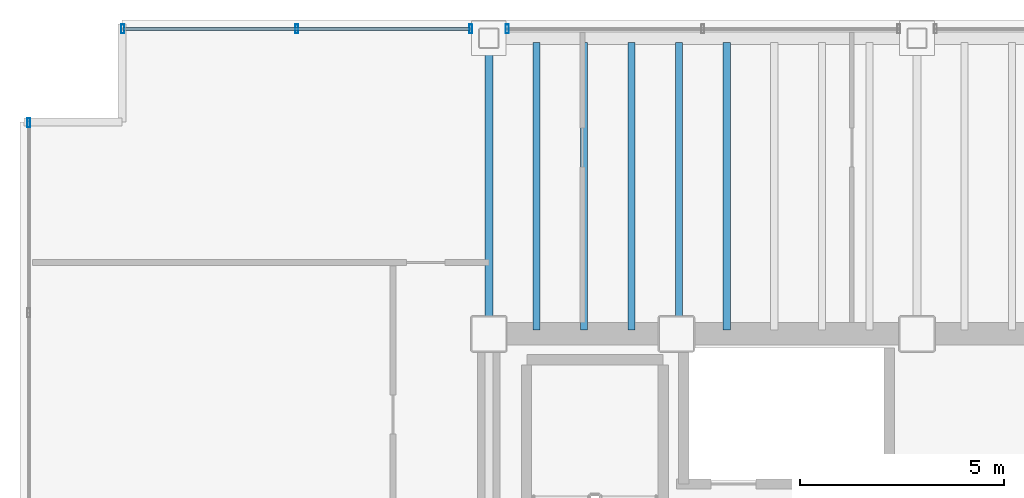
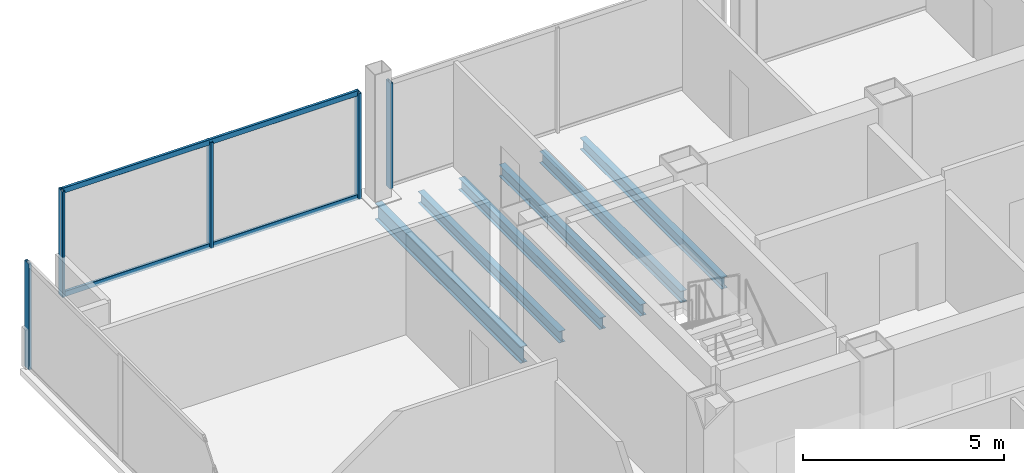
# One storey, part 8 of 19: 7 members, 6 beams, 3 elements without a shape of their own.
"""IFC4 building model written with IfcOpenShell, lengths in metres."""

from ifc_helpers import new_model, si_unit, direction, frame, origin, origin_2d, place, context, subcontext, project, spatial, hollow_rectangle, i_section, extrude, material, material_profile, profile_set, type_object, element, aggregate, save


model = new_model("IFC4")

# Units and contexts
model_context = context("Model", 3, precision=1e-05, world=origin(), true_north=direction((0.0, 1.0)))
body_context = subcontext(model_context, "Body", "Model", "MODEL_VIEW")
ifc_project = project(units=[si_unit("LENGTHUNIT", "METRE"), si_unit("AREAUNIT", "SQUARE_METRE"), si_unit("VOLUMEUNIT", "CUBIC_METRE"), si_unit("PLANEANGLEUNIT", "RADIAN"), si_unit("MASSUNIT", "GRAM", prefix="KILO")], contexts=[model_context])

# Site, building, storey
site_placement = place(None, origin())
site = spatial("IfcSite", under=ifc_project, at=site_placement, CompositionType="ELEMENT")
building_placement = place(site_placement, origin())
building = spatial("IfcBuilding", under=site, at=building_placement, Name="Noeulbin Bourse Tower", CompositionType="ELEMENT")
storey_placement = place(building_placement, frame((0.0, 0.0, 153.89990234375)))
storey = spatial("IfcBuildingStorey", under=building, at=storey_placement, Name="L38", CompositionType="ELEMENT", Elevation=153.89990234375)

# Beams
ifc_material_1 = material(Name="Steel S355", Category="steel")
ifc_material_profile_1 = material_profile(ifc_material_1, i_section(OverallWidth=0.199951171875, OverallDepth=0.5, WebThickness=0.010009765625, FlangeThickness=0.01611328125, FilletRadius=0.02001953125, at=origin_2d()), Name="H-500x200x10x16", Category="LoadBearing")
ifc_profile_set_1 = profile_set([ifc_material_profile_1], Name="Steel S355")
beam_type_1 = type_object("IfcBeamType", Name="BM-GRD-500", PredefinedType="USERDEFINED", material=ifc_profile_set_1)
beam_placement = place(storey_placement, frame((13.5, 38.300048828125, -0.429931640625), z_axis=(0.0, 1.0, 0.0), x_axis=(-1.0, 0.0, 0.0)))
element("IfcBeam", 1, at=beam_placement, inside=storey, type_object=beam_type_1, Name="Tower Primary Girder NS L38-1.4", ObjectType="GIRDER", PredefinedType="USERDEFINED", context=body_context, shape_type="SweptSolid", body=[
    extrude(i_section(OverallWidth=0.199951171875, OverallDepth=0.5, WebThickness=0.010009765625, FlangeThickness=0.01611328125, FilletRadius=0.02001953125, at=origin_2d()), origin(), (0.0, 0.0, 1.0), 7.25),
])
ifc_material_profile_2 = material_profile(ifc_material_1, i_section(OverallWidth=0.175048828125, OverallDepth=0.35009765625, WebThickness=0.007080078125, FlangeThickness=0.010986328125, FilletRadius=0.013916015625, at=origin_2d()), Name="H-350x175x7x11", Category="LoadBearing")
ifc_profile_set_2 = profile_set([ifc_material_profile_2], Name="Steel S355")
beam_type_2 = type_object("IfcBeamType", Name="BM-JST-350", PredefinedType="JOIST", material=ifc_profile_set_2)
for number, where, z_axis, x_axis, name in (
    (2, (14.666748046875, 38.39990234375, -0.35498046875), (0.0, 1.0, 0.0), (-1.0, 0.0, 0.0), "Tower Composite Joist L38-03"),
    (3, (15.833251953125, 38.39990234375, -0.35498046875), (0.0, 1.0, 0.0), (-1.0, 0.0, 0.0), "Tower Composite Joist L38-06"),
    (4, (17.0, 38.39990234375, -0.35498046875), (0.0, 1.0, 0.0), (-1.0, 0.0, 0.0), "Tower Composite Joist L38-09"),
    (5, (18.166748046875, 38.39990234375, -0.35498046875), (0.0, 1.0, 0.0), (-1.0, 0.0, 0.0), "Tower Composite Joist L38-12"),
    (6, (19.333251953125, 38.39990234375, -0.35498046875), (0.0, 1.0, 0.0), (-1.0, 0.0, 0.0), "Tower Composite Joist L38-15"),
):
    element("IfcBeam", number, at=place(storey_placement, frame(where, z_axis=z_axis, x_axis=x_axis)), inside=storey, type_object=beam_type_2, Name=name, PredefinedType="JOIST", context=body_context, shape_type="SweptSolid", body=[
        extrude(i_section(OverallWidth=0.175048828125, OverallDepth=0.35009765625, WebThickness=0.007080078125, FlangeThickness=0.010986328125, FilletRadius=0.013916015625, at=origin_2d()), origin(), (0.0, 0.0, 1.0), 7.050048828125),
    ])

# Curtain wall, members
ifc_material_2 = material(Name="Dark Tinted Triple Glazing", Category="glass")
curtain_wall_type = type_object("IfcCurtainWallType", Name="CW-SYS-3", PredefinedType="NOTDEFINED", material=ifc_material_2)
curtain_wall_1_placement = place(storey_placement, origin())
curtain_wall_1 = element("IfcCurtainWall", 7, at=curtain_wall_1_placement, inside=storey, type_object=curtain_wall_type, Name="Unitised Curtain Wall CW-L38-N-S1", PredefinedType="NOTDEFINED")
ifc_material_3 = material(Name="Anodised Aluminium 6063-T6", Category="aluminium")
ifc_material_profile_3 = material_profile(ifc_material_3, hollow_rectangle(XDim=0.074951171875, YDim=0.219970703125, WallThickness=0.0048828125, InnerFilletRadius=0.00244140625, OuterFilletRadius=0.0048828125, at=origin_2d()), Name="ALU-MULL-75x220x5", Category="LoadBearing")
ifc_profile_set_3 = profile_set([ifc_material_profile_3], Name="Anodised Aluminium 6063-T6")
member_type_1 = type_object("IfcMemberType", Name="CW-SYS-3-MUL", PredefinedType="MULLION", material=ifc_profile_set_3)
member_1_placement = place(storey_placement, frame((4.52001953125, 45.780029296875, -0.02001953125), z_axis=(0.0, 0.0, 1.0), x_axis=(1.0, 0.0, 0.0)))
member_1 = element("IfcMember", 8, at=member_1_placement, type_object=member_type_1, Name="Curtain Wall Mullion CW-L38-N-S1-M00", PredefinedType="MULLION", context=body_context, shape_type="SweptSolid", body=[
    extrude(hollow_rectangle(XDim=0.074951171875, YDim=0.219970703125, WallThickness=0.0048828125, InnerFilletRadius=0.00244140625, OuterFilletRadius=0.0048828125, at=origin_2d()), origin(), (0.0, 0.0, 1.0), 3.22021484375),
])
member_2_placement = place(storey_placement, frame((8.784912109375, 45.780029296875, -0.02001953125), z_axis=(0.0, 0.0, 1.0), x_axis=(1.0, 0.0, 0.0)))
member_2 = element("IfcMember", 9, at=member_2_placement, type_object=member_type_1, Name="Curtain Wall Mullion CW-L38-N-S1-M01", PredefinedType="MULLION", context=body_context, shape_type="SweptSolid", body=[
    extrude(hollow_rectangle(XDim=0.074951171875, YDim=0.219970703125, WallThickness=0.0048828125, InnerFilletRadius=0.00244140625, OuterFilletRadius=0.0048828125, at=origin_2d()), origin(), (0.0, 0.0, 1.0), 3.22021484375),
])
member_3_placement = place(storey_placement, frame((13.050048828125, 45.780029296875, -0.02001953125), z_axis=(0.0, 0.0, 1.0), x_axis=(1.0, 0.0, 0.0)))
member_3 = element("IfcMember", 10, at=member_3_placement, type_object=member_type_1, Name="Curtain Wall Mullion CW-L38-N-S1-M02", PredefinedType="MULLION", context=body_context, shape_type="SweptSolid", body=[
    extrude(hollow_rectangle(XDim=0.074951171875, YDim=0.219970703125, WallThickness=0.0048828125, InnerFilletRadius=0.00244140625, OuterFilletRadius=0.0048828125, at=origin_2d()), origin(), (0.0, 0.0, 1.0), 3.22021484375),
])

# Curtain wall, member
curtain_wall_2_placement = place(storey_placement, origin())
curtain_wall_2 = element("IfcCurtainWall", 11, at=curtain_wall_2_placement, inside=storey, type_object=curtain_wall_type, Name="Unitised Curtain Wall CW-L38-N-S2", PredefinedType="NOTDEFINED")
member_4_placement = place(storey_placement, frame((13.949951171875, 45.780029296875, -0.02001953125), z_axis=(0.0, 0.0, 1.0), x_axis=(1.0, 0.0, 0.0)))
member_4 = element("IfcMember", 12, at=member_4_placement, type_object=member_type_1, Name="Curtain Wall Mullion CW-L38-N-S2-M00", PredefinedType="MULLION", context=body_context, shape_type="SweptSolid", body=[
    extrude(hollow_rectangle(XDim=0.074951171875, YDim=0.219970703125, WallThickness=0.0048828125, InnerFilletRadius=0.00244140625, OuterFilletRadius=0.0048828125, at=origin_2d()), origin(), (0.0, 0.0, 1.0), 3.22021484375),
])
aggregate(curtain_wall_2, [member_4])

curtain_wall_3_placement = place(storey_placement, origin())
curtain_wall_3 = element("IfcCurtainWall", 13, at=curtain_wall_3_placement, inside=storey, type_object=curtain_wall_type, Name="Unitised Curtain Wall CW-L38-W-S2", PredefinedType="NOTDEFINED")
member_5_placement = place(storey_placement, frame((2.219970703125, 43.47998046875, -0.02001953125), z_axis=(0.0, 0.0, 1.0), x_axis=(1.0, 0.0, 0.0)))
member_5 = element("IfcMember", 14, at=member_5_placement, type_object=member_type_1, Name="Curtain Wall Mullion CW-L38-W-S2-M03", PredefinedType="MULLION", context=body_context, shape_type="SweptSolid", body=[
    extrude(hollow_rectangle(XDim=0.074951171875, YDim=0.219970703125, WallThickness=0.0048828125, InnerFilletRadius=0.00244140625, OuterFilletRadius=0.0048828125, at=origin_2d()), origin(), (0.0, 0.0, 1.0), 3.22021484375),
])
aggregate(curtain_wall_3, [member_5])

# Member
ifc_material_profile_4 = material_profile(ifc_material_3, hollow_rectangle(XDim=0.074951171875, YDim=0.159912109375, WallThickness=0.0048828125, InnerFilletRadius=0.00244140625, OuterFilletRadius=0.0048828125, at=origin_2d()), Name="ALU-TRAN-75x160x5", Category="LoadBearing")
ifc_profile_set_4 = profile_set([ifc_material_profile_4], Name="Anodised Aluminium 6063-T6")
member_type_2 = type_object("IfcMemberType", Name="CW-SYS-3-TRN", PredefinedType="USERDEFINED", material=ifc_profile_set_4)
member_6_placement = place(storey_placement, frame((4.530029296875, 45.780029296875, 0.010009765625), z_axis=(1.0, 0.0, 0.0), x_axis=(0.0, 1.0, 0.0)))
member_6 = element("IfcMember", 15, at=member_6_placement, type_object=member_type_2, Name="Curtain Wall Transom CW-L38-N-S1-T00", ObjectType="TRANSOM", PredefinedType="USERDEFINED", context=body_context, shape_type="SweptSolid", body=[
    extrude(hollow_rectangle(XDim=0.074951171875, YDim=0.159912109375, WallThickness=0.0048828125, InnerFilletRadius=0.00244140625, OuterFilletRadius=0.0048828125, at=origin_2d()), origin(), (0.0, 0.0, 1.0), 8.510009765625),
])

member_7_placement = place(storey_placement, frame((4.530029296875, 45.780029296875, 3.170166015625), z_axis=(1.0, 0.0, 0.0), x_axis=(0.0, 1.0, 0.0)))
member_7 = element("IfcMember", 16, at=member_7_placement, type_object=member_type_2, Name="Curtain Wall Transom CW-L38-N-S1-T01", ObjectType="TRANSOM", PredefinedType="USERDEFINED", context=body_context, shape_type="SweptSolid", body=[
    extrude(hollow_rectangle(XDim=0.074951171875, YDim=0.159912109375, WallThickness=0.0048828125, InnerFilletRadius=0.00244140625, OuterFilletRadius=0.0048828125, at=origin_2d()), origin(), (0.0, 0.0, 1.0), 8.510009765625),
])

aggregate(curtain_wall_1, [member_1, member_2, member_3, member_6, member_7])

save(model, "model.ifc")
